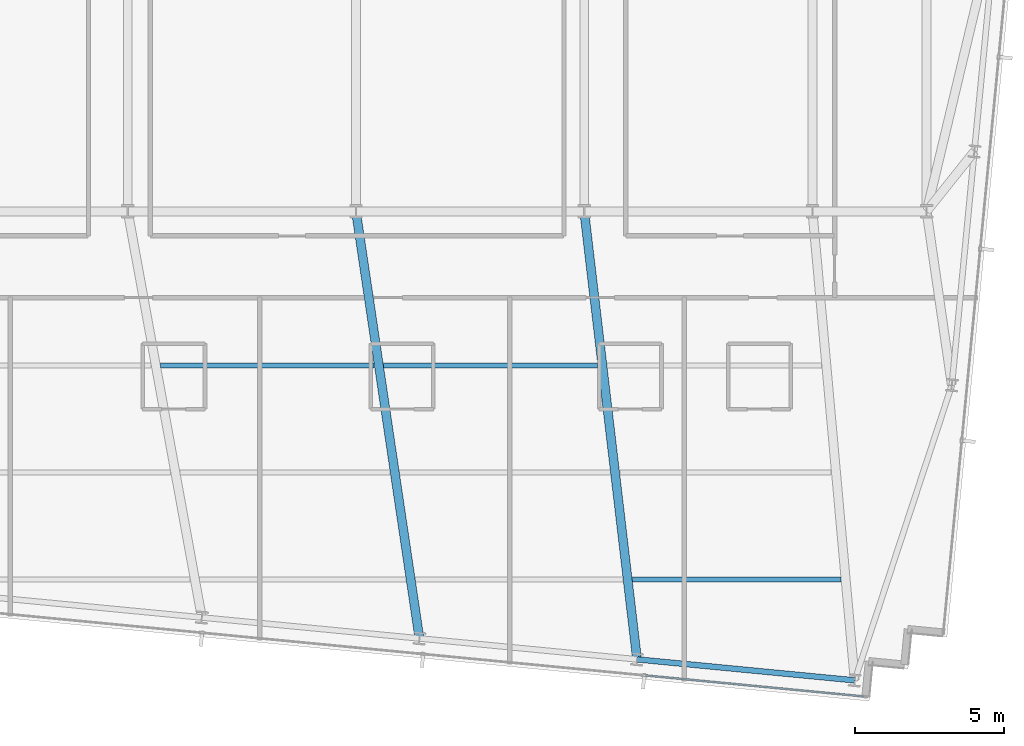
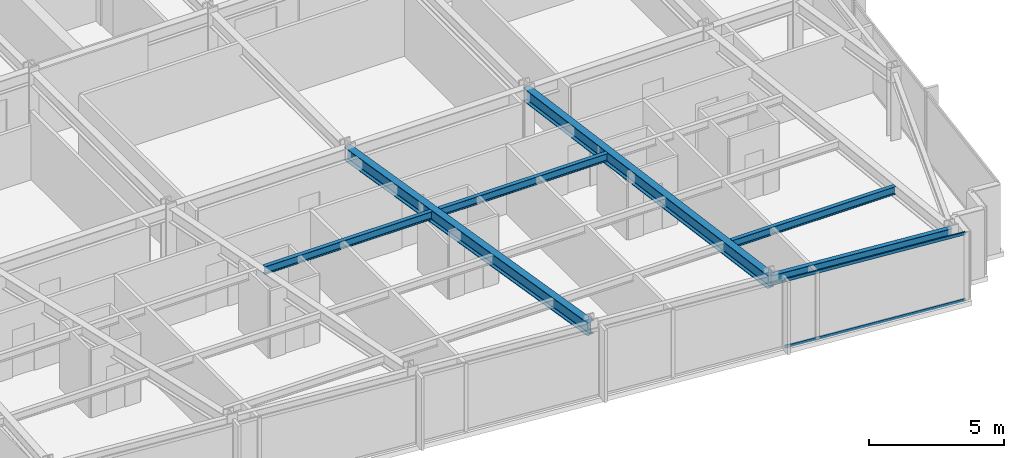
# One storey, part 13 of 37: 6 beams, 2 members, 1 element without a shape of its own.
"""IFC4 building model written with IfcOpenShell, lengths in metres."""

from ifc_helpers import new_model, si_unit, direction, frame, origin, origin_2d, place, context, subcontext, project, spatial, hollow_rectangle, i_section, extrude, material, material_profile, profile_set, type_object, element, aggregate, save


model = new_model("IFC4")

# Units and contexts
model_context = context("Model", 3, precision=1e-05, world=origin(), true_north=direction((0.0, 1.0)))
body_context = subcontext(model_context, "Body", "Model", "MODEL_VIEW")
ifc_project = project(units=[si_unit("LENGTHUNIT", "METRE"), si_unit("AREAUNIT", "SQUARE_METRE"), si_unit("VOLUMEUNIT", "CUBIC_METRE"), si_unit("PLANEANGLEUNIT", "RADIAN"), si_unit("MASSUNIT", "GRAM", prefix="KILO")], contexts=[model_context])

# Site, building, storey
site_placement = place(None, origin())
site = spatial("IfcSite", under=ifc_project, at=site_placement, CompositionType="ELEMENT")
building_placement = place(site_placement, origin())
building = spatial("IfcBuilding", under=site, at=building_placement, Name="Yelkora Congress Tower", CompositionType="ELEMENT")
storey_placement = place(building_placement, frame((0.0, 0.0, 168.800048828125)))
storey = spatial("IfcBuildingStorey", under=building, at=storey_placement, Name="L46", CompositionType="ELEMENT", Elevation=168.800048828125)

# Beams
ifc_material_1 = material(Name="Steel S355J2", Category="steel")
ifc_material_profile_1 = material_profile(ifc_material_1, i_section(OverallWidth=0.300048828125, OverallDepth=0.60009765625, WebThickness=0.015380859375, FlangeThickness=0.030029296875, FilletRadius=0.027099609375, at=origin_2d()), Name="HEB 600")
ifc_profile_set_1 = profile_set([ifc_material_profile_1], Name="Steel S355J2")
beam_type_1 = type_object("IfcBeamType", Name="BM-GIRD-HEB600", PredefinedType="BEAM", material=ifc_profile_set_1)
beam_1_placement = place(storey_placement, frame((40.53564453125, 10.83154296875, 2.780029296875), z_axis=(-0.147026183693, 0.989132600468, 0.0), x_axis=(-0.989132600468, -0.147026183693, 0.0)))
element("IfcBeam", 1, at=beam_1_placement, inside=storey, type_object=beam_type_1, Name="L46 Primary Frame Girder S06", PredefinedType="BEAM", context=body_context, shape_type="SweptSolid", body=[
    extrude(i_section(OverallWidth=0.300048828125, OverallDepth=0.60009765625, WebThickness=0.015380859375, FlangeThickness=0.030029296875, FilletRadius=0.027099609375, at=origin_2d()), origin(), (0.0, 0.0, 1.0), 14.5263671875),
])
beam_2_placement = place(storey_placement, frame((47.85888671875, 10.12646484375, 2.780029296875), z_axis=(-0.117195880411, 0.993108818617, 0.0), x_axis=(-0.993108818617, -0.117195880411, 0.0)))
element("IfcBeam", 2, at=beam_2_placement, inside=storey, type_object=beam_type_1, Name="L46 Primary Frame Girder S07", PredefinedType="BEAM", context=body_context, shape_type="SweptSolid", body=[
    extrude(i_section(OverallWidth=0.300048828125, OverallDepth=0.60009765625, WebThickness=0.015380859375, FlangeThickness=0.030029296875, FilletRadius=0.027099609375, at=origin_2d()), origin(), (0.0, 0.0, 1.0), 15.177978515625),
])
ifc_material_profile_2 = material_profile(ifc_material_1, i_section(OverallWidth=0.169921875, OverallDepth=0.360107421875, WebThickness=0.008056640625, FlangeThickness=0.0126953125, FilletRadius=0.01806640625, at=origin_2d()), Name="IPE 360")
ifc_profile_set_2 = profile_set([ifc_material_profile_2], Name="Steel S355J2")
beam_type_2 = type_object("IfcBeamType", Name="BM-JOIST-IPE360", PredefinedType="JOIST", material=ifc_profile_set_2)
beam_3_placement = place(storey_placement, frame((47.700927734375, 12.8212890625, 2.89990234375), z_axis=(1.0, 0.0, 0.0), x_axis=(0.0, 1.0, 0.0)))
element("IfcBeam", 3, at=beam_3_placement, inside=storey, type_object=beam_type_2, Name="L46 Composite Floor Joist 4", PredefinedType="JOIST", context=body_context, shape_type="SweptSolid", body=[
    extrude(i_section(OverallWidth=0.169921875, OverallDepth=0.360107421875, WebThickness=0.008056640625, FlangeThickness=0.0126953125, FilletRadius=0.01806640625, at=origin_2d()), origin(), (0.0, 0.0, 1.0), 7.014892578125),
])
beam_4_placement = place(storey_placement, frame((31.82470703125, 20.021240234375, 2.89990234375), z_axis=(1.0, 0.0, 0.0), x_axis=(0.0, 1.0, 0.0)))
element("IfcBeam", 4, at=beam_4_placement, inside=storey, type_object=beam_type_2, Name="L46 Composite Floor Joist 16", PredefinedType="JOIST", context=body_context, shape_type="SweptSolid", body=[
    extrude(i_section(OverallWidth=0.169921875, OverallDepth=0.360107421875, WebThickness=0.008056640625, FlangeThickness=0.0126953125, FilletRadius=0.01806640625, at=origin_2d()), origin(), (0.0, 0.0, 1.0), 7.18505859375),
])
beam_5_placement = place(storey_placement, frame((39.32958984375, 20.021240234375, 2.89990234375), z_axis=(1.0, 0.0, 0.0), x_axis=(0.0, 1.0, 0.0)))
element("IfcBeam", 5, at=beam_5_placement, inside=storey, type_object=beam_type_2, Name="L46 Composite Floor Joist 17", PredefinedType="JOIST", context=body_context, shape_type="SweptSolid", body=[
    extrude(i_section(OverallWidth=0.169921875, OverallDepth=0.360107421875, WebThickness=0.008056640625, FlangeThickness=0.0126953125, FilletRadius=0.01806640625, at=origin_2d()), origin(), (0.0, 0.0, 1.0), 7.20166015625),
])
ifc_material_profile_3 = material_profile(ifc_material_1, i_section(OverallWidth=0.18994140625, OverallDepth=0.449951171875, WebThickness=0.009521484375, FlangeThickness=0.0146484375, FilletRadius=0.02099609375, at=origin_2d()), Name="IPE 450")
ifc_profile_set_3 = profile_set([ifc_material_profile_3], Name="Steel S355J2")
beam_type_3 = type_object("IfcBeamType", Name="BM-SPAN-IPE450", PredefinedType="SPANDREL", material=ifc_profile_set_3)
beam_6_placement = place(storey_placement, frame((47.85888671875, 10.12646484375, 2.85498046875), z_axis=(0.995393938538, -0.095869218844, 0.0), x_axis=(0.095869218844, 0.995393938538, 0.0)))
element("IfcBeam", 6, at=beam_6_placement, inside=storey, type_object=beam_type_3, Name="L46 Perimeter Beam 8", PredefinedType="SPANDREL", context=body_context, shape_type="SweptSolid", body=[
    extrude(i_section(OverallWidth=0.18994140625, OverallDepth=0.449951171875, WebThickness=0.009521484375, FlangeThickness=0.0146484375, FilletRadius=0.02099609375, at=origin_2d()), origin(), (0.0, 0.0, 1.0), 7.357177734375),
])

# Curtain wall, members
ifc_material_2 = material(Name="Anodised aluminium and insulated glass", Category="aluminium")
curtain_wall_type = type_object("IfcCurtainWallType", Name="CW-SYS-B3", PredefinedType="NOTDEFINED", material=ifc_material_2)
curtain_wall_placement = place(storey_placement, origin())
curtain_wall = element("IfcCurtainWall", 7, at=curtain_wall_placement, inside=storey, type_object=curtain_wall_type, Name="L46 Unitised Curtain Wall 20", PredefinedType="NOTDEFINED")
ifc_material_3 = material(Name="Anodised aluminium 6063-T6", Category="aluminium")
ifc_material_profile_4 = material_profile(ifc_material_3, hollow_rectangle(XDim=0.06005859375, YDim=0.1298828125, WallThickness=0.00390625, at=origin_2d()), Name="ALU 60x130x4")
ifc_profile_set_4 = profile_set([ifc_material_profile_4], Name="Anodised aluminium 6063-T6")
member_type = type_object("IfcMemberType", Name="MEM-TR-B3", PredefinedType="USERDEFINED", material=ifc_profile_set_4)
member_1_placement = place(storey_placement, frame((55.4716796875, 8.881103515625, 0.030029296875), z_axis=(-0.995396212442, 0.095845606344, 0.0), x_axis=(-0.095845606344, -0.995396212442, 0.0)))
member_1 = element("IfcMember", 8, at=member_1_placement, type_object=member_type, Name="CW-B3 transom 1.1", ObjectType="TRANSOM", PredefinedType="USERDEFINED", context=body_context, shape_type="SweptSolid", body=[
    extrude(hollow_rectangle(XDim=0.06005859375, YDim=0.1298828125, WallThickness=0.00390625, at=origin_2d()), origin(), (0.0, 0.0, 1.0), 7.369140625),
])
member_2_placement = place(storey_placement, frame((55.4716796875, 8.881103515625, 3.050048828125), z_axis=(-0.995396212442, 0.095845606344, 0.0), x_axis=(-0.095845606344, -0.995396212442, 0.0)))
member_2 = element("IfcMember", 9, at=member_2_placement, type_object=member_type, Name="CW-B3 transom 1.2", ObjectType="TRANSOM", PredefinedType="USERDEFINED", context=body_context, shape_type="SweptSolid", body=[
    extrude(hollow_rectangle(XDim=0.06005859375, YDim=0.1298828125, WallThickness=0.00390625, at=origin_2d()), origin(), (0.0, 0.0, 1.0), 7.369140625),
])
aggregate(curtain_wall, [member_1, member_2])

save(model, "model.ifc")
